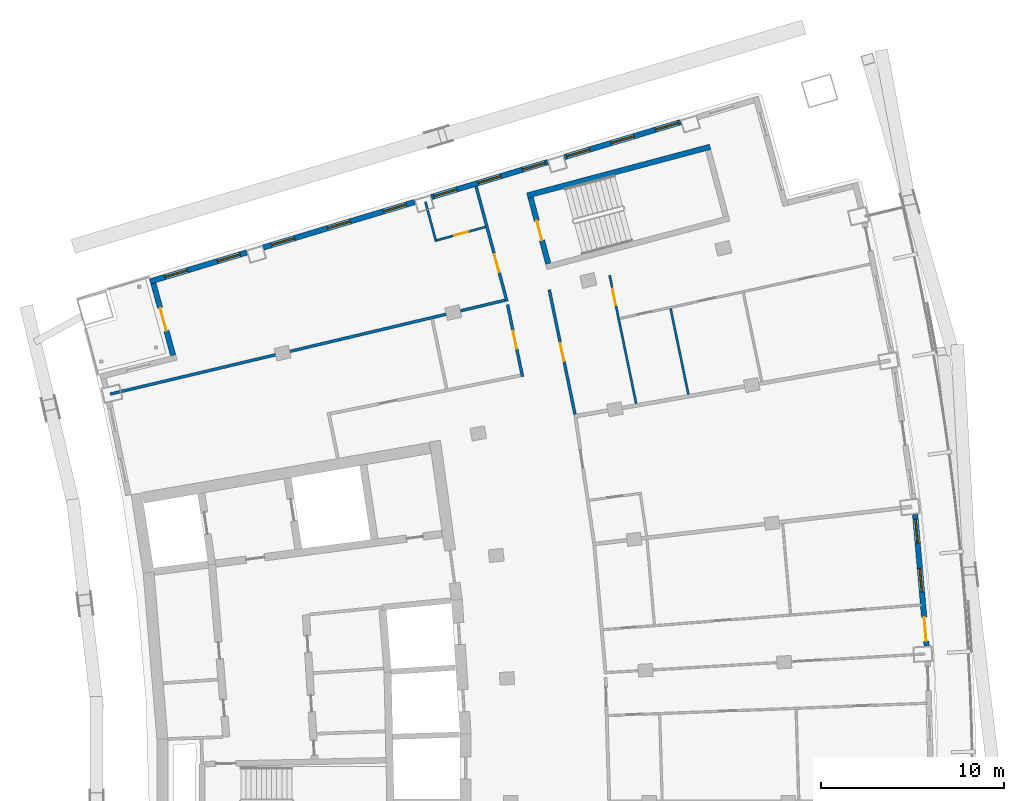
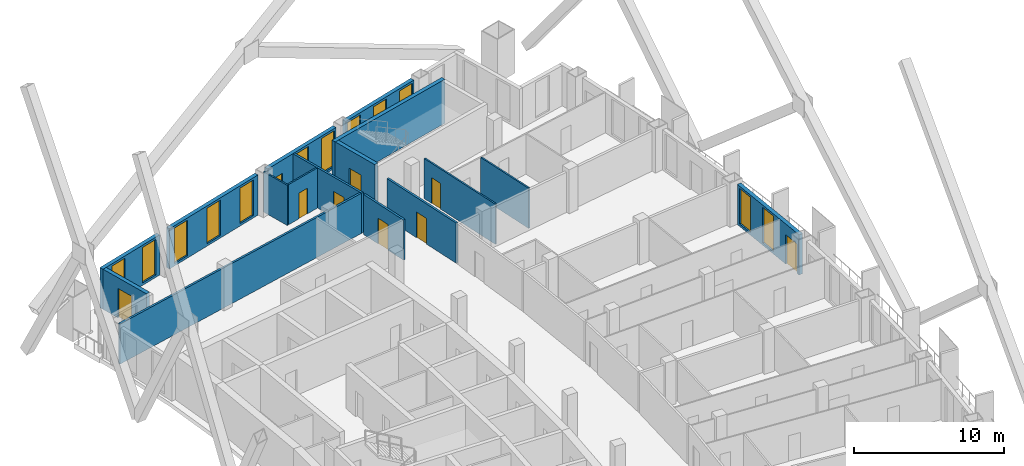
# One storey, part 15 of 20: 16 walls, 13 windows, 8 doors, 21 openings.
"""IFC4 building model written with IfcOpenShell, lengths in metres."""

from ifc_helpers import new_model, si_unit, direction, frame, frame_2d, origin, place, context, subcontext, project, spatial, rectangle, extrude, material, layer, layer_set, type_object, element, fill, save


model = new_model("IFC4")

# Units and contexts
model_context = context("Model", 3, precision=1e-05, world=origin(), true_north=direction((0.0, 1.0)))
body_context = subcontext(model_context, "Body", "Model", "MODEL_VIEW")
ifc_project = project(units=[si_unit("LENGTHUNIT", "METRE"), si_unit("AREAUNIT", "SQUARE_METRE"), si_unit("VOLUMEUNIT", "CUBIC_METRE"), si_unit("PLANEANGLEUNIT", "RADIAN"), si_unit("MASSUNIT", "GRAM", prefix="KILO")], contexts=[model_context])

# Site, building, storey
site_placement = place(None, origin())
site = spatial("IfcSite", under=ifc_project, at=site_placement, CompositionType="ELEMENT")
building_placement = place(site_placement, origin())
building = spatial("IfcBuilding", under=site, at=building_placement, Name="Alderwake Tower", CompositionType="ELEMENT")
storey_placement = place(building_placement, frame((0.0, 0.0, 189.199951171875)))
storey = spatial("IfcBuildingStorey", under=building, at=storey_placement, Name="L46", CompositionType="ELEMENT", Elevation=189.199951171875)

# Wall
ifc_material_1 = material(Name="Concrete C70/85", Category="concrete")
ifc_layer_1 = layer(ifc_material_1, 0.300048828125)
ifc_layer_set_1 = layer_set([ifc_layer_1], Name="Core wall stair enclosure 300 C70-85")
wall_type_1 = type_object("IfcWallType", Name="Core wall stair enclosure 300 C70-85", PredefinedType="SHEAR", material=ifc_layer_set_1)
wall_1_placement = place(storey_placement, frame((36.71142578125, 94.182373046875, 0.0), z_axis=(0.0, 0.0, 1.0), x_axis=(0.966309214305, 0.257383958996, 0.0)))
element("IfcWall", 1, at=wall_1_placement, inside=storey, type_object=wall_type_1, Name="Core wall CW.082", PredefinedType="SHEAR", context=body_context, shape_type="SweptSolid", body=[
    extrude(rectangle(XDim=10.360107421875, YDim=0.300048828125, at=frame_2d((5.18017578125, 0.0))), origin(), (0.0, 0.0, 1.0), 3.60009765625),
])

# Wall, opening, door
wall_2_placement = place(storey_placement, frame((37.8603515625, 90.452392578125, 0.0), z_axis=(0.0, 0.0, 1.0), x_axis=(-0.257411420208, 0.966301899381, 0.0)))
wall_2 = element("IfcWall", 2, at=wall_2_placement, inside=storey, type_object=wall_type_1, Name="Core wall CW.083", PredefinedType="SHEAR", context=body_context, shape_type="SweptSolid", body=[
    extrude(rectangle(XDim=3.750244140625, YDim=0.300048828125, at=frame_2d((1.875, 0.0))), origin(), (0.0, 0.0, 1.0), 3.60009765625),
])
opening_1_placement = place(wall_2_placement, frame((1.324951171875, 0.0, 0.0)))
opening_1 = element("IfcOpeningElement", 3, at=opening_1_placement, cuts=wall_2, Name="Opening C062", PredefinedType="OPENING", context=body_context, shape_type="SweptSolid", body=[
    extrude(rectangle(XDim=1.10009765625, YDim=2.10009765625, at=frame_2d((0.550048828125, 1.050048828125))), frame((0.0, 0.159912109375, 0.0), z_axis=(0.0, -1.0, 0.0), x_axis=(1.0, 0.0, 0.0)), (0.0, 0.0, 1.0), 0.320068359375),
])
ifc_material_2 = material(Name="Steel-framed fire door leaf", Category="steel")
door_type_1 = type_object("IfcDoorType", Name="Core stair door 1100 fire-rated", OperationType="SINGLE_SWING_LEFT", PredefinedType="DOOR", material=ifc_material_2)
door_1_placement = place(opening_1_placement, origin())
door_1 = element("IfcDoor", 4, at=door_1_placement, inside=storey, type_object=door_type_1, Name="Stair door", OperationType="SINGLE_SWING_LEFT", OverallHeight=2.10009765625, OverallWidth=1.10009765625, PredefinedType="DOOR", context=body_context, shape_type="SweptSolid", body=[
    extrude(rectangle(XDim=1.10009765625, YDim=2.10009765625, at=frame_2d((0.550048828125, 1.050048828125))), frame((0.0, 0.02490234375, 0.0), z_axis=(0.0, -1.0, 0.0), x_axis=(1.0, 0.0, 0.0)), (0.0, 0.0, 1.0), 0.050048828125),
])
fill(opening_1, door_1)

ifc_material_3 = material(Name="Gypsum board on metal studs, rated")
ifc_layer_2 = layer(ifc_material_3, 0.159912109375)
ifc_layer_set_2 = layer_set([ifc_layer_2], Name="Corridor wall 160")
wall_type_2 = type_object("IfcWallType", Name="Corridor wall 160", PredefinedType="PARTITIONING", material=ifc_layer_set_2)
wall_3_placement = place(storey_placement, frame((35.600830078125, 88.392578125, 0.0), z_axis=(0.0, 0.0, 1.0), x_axis=(-0.259509260101, 0.965740619381, 0.0)))
wall_3 = element("IfcWall", 5, at=wall_3_placement, inside=storey, type_object=wall_type_2, Name="WL/L46/W14", PredefinedType="PARTITIONING", context=body_context, shape_type="SweptSolid", body=[
    extrude(rectangle(XDim=6.50732421875, YDim=0.159912109375, at=frame_2d((3.253662109375, 0.0))), origin(), (0.0, 0.0, 1.0), 3.280029296875),
])
opening_2_placement = place(wall_3_placement, frame((1.65771484375, 0.0, 0.0)))
opening_2 = element("IfcOpeningElement", 6, at=opening_2_placement, cuts=wall_3, Name="Opening R13-U09.1", PredefinedType="OPENING", context=body_context, shape_type="SweptSolid", body=[
    extrude(rectangle(XDim=1.0, YDim=2.10009765625, at=frame_2d((0.5, 1.050048828125))), frame((0.0, 0.08984375, 0.0), z_axis=(0.0, -1.0, 0.0), x_axis=(1.0, 0.0, 0.0)), (0.0, 0.0, 1.0), 0.179931640625),
])
ifc_material_4 = material(Name="Solid timber leaf in steel frame", Category="steel")
door_type_2 = type_object("IfcDoorType", Name="Flat entrance door 1000 fire-rated", OperationType="SINGLE_SWING_LEFT", PredefinedType="DOOR", material=ifc_material_4)
door_2_placement = place(opening_2_placement, origin())
door_2 = element("IfcDoor", 7, at=door_2_placement, inside=storey, type_object=door_type_2, Name="DR/L46/U09.1", OperationType="SINGLE_SWING_LEFT", OverallHeight=2.10009765625, OverallWidth=1.0, PredefinedType="DOOR", context=body_context, shape_type="SweptSolid", body=[
    extrude(rectangle(XDim=1.0, YDim=2.10009765625, at=frame_2d((0.5, 1.050048828125))), frame((0.0, 0.02490234375, 0.0), z_axis=(0.0, -1.0, 0.0), x_axis=(1.0, 0.0, 0.0)), (0.0, 0.0, 1.0), 0.050048828125),
])
fill(opening_2, door_2)

# Wall
wall_4_placement = place(storey_placement, frame((35.502197265625, 88.451416015625, 0.0), z_axis=(0.0, 0.0, 1.0), x_axis=(-0.972894913244, -0.231247676278, 0.0)))
element("IfcWall", 8, at=wall_4_placement, inside=storey, type_object=wall_type_2, Name="WL/L46/W16", PredefinedType="PARTITIONING", context=body_context, shape_type="SweptSolid", body=[
    extrude(rectangle(XDim=22.220458984375, YDim=0.159912109375, at=frame_2d((11.1103515625, 0.0))), origin(), (0.0, 0.0, 1.0), 3.280029296875),
])

# Wall, opening, door
wall_5_placement = place(storey_placement, frame((36.451416015625, 84.272705078125, 0.0), z_axis=(0.0, 0.0, 1.0), x_axis=(-0.203258199701, 0.979125172924, 0.0)))
wall_5 = element("IfcWall", 9, at=wall_5_placement, inside=storey, type_object=wall_type_2, Name="WL/L46/W17", PredefinedType="PARTITIONING", context=body_context, shape_type="SweptSolid", body=[
    extrude(rectangle(XDim=4.020263671875, YDim=0.159912109375, at=frame_2d((2.01025390625, 0.0))), origin(), (0.0, 0.0, 1.0), 3.280029296875),
])
opening_3_placement = place(wall_5_placement, frame((1.549560546875, 0.0, 0.0)))
opening_3 = element("IfcOpeningElement", 10, at=opening_3_placement, cuts=wall_5, Name="Opening R13-SBN2", PredefinedType="OPENING", context=body_context, shape_type="SweptSolid", body=[
    extrude(rectangle(XDim=1.0, YDim=2.10009765625, at=frame_2d((0.5, 1.050048828125))), frame((0.0, 0.08984375, 0.0), z_axis=(0.0, -1.0, 0.0), x_axis=(1.0, 0.0, 0.0)), (0.0, 0.0, 1.0), 0.179931640625),
])
ifc_material_5 = material(Name="Steel-framed fire door leaf", Category="steel")
door_type_3 = type_object("IfcDoorType", Name="Plant room door 1000 fire-rated", OperationType="SINGLE_SWING_LEFT", PredefinedType="DOOR", material=ifc_material_5)
door_3_placement = place(opening_3_placement, origin())
door_3 = element("IfcDoor", 11, at=door_3_placement, inside=storey, type_object=door_type_3, Name="DR/L46/SBN2", OperationType="SINGLE_SWING_LEFT", OverallHeight=2.10009765625, OverallWidth=1.0, PredefinedType="DOOR", context=body_context, shape_type="SweptSolid", body=[
    extrude(rectangle(XDim=1.0, YDim=2.10009765625, at=frame_2d((0.5, 1.050048828125))), frame((0.0, 0.02490234375, 0.0), z_axis=(0.0, -1.0, 0.0), x_axis=(1.0, 0.0, 0.0)), (0.0, 0.0, 1.0), 0.050048828125),
])
fill(opening_3, door_3)

wall_6_placement = place(storey_placement, frame((37.9169921875, 89.02490234375, 0.0), z_axis=(0.0, 0.0, 1.0), x_axis=(0.202416809878, -0.97929946139, 0.0)))
wall_6 = element("IfcWall", 12, at=wall_6_placement, inside=storey, type_object=wall_type_2, Name="WL/L46/W22", PredefinedType="PARTITIONING", context=body_context, shape_type="SweptSolid", body=[
    extrude(rectangle(XDim=6.97021484375, YDim=0.159912109375, at=frame_2d((3.485107421875, 0.0))), origin(), (0.0, 0.0, 1.0), 3.280029296875),
])
opening_4_placement = place(wall_6_placement, frame((2.985595703125, 0.0, 0.0)))
opening_4 = element("IfcOpeningElement", 13, at=opening_4_placement, cuts=wall_6, Name="Opening R13-U07.2", PredefinedType="OPENING", context=body_context, shape_type="SweptSolid", body=[
    extrude(rectangle(XDim=1.0, YDim=2.10009765625, at=frame_2d((0.5, 1.050048828125))), frame((0.0, 0.08984375, 0.0), z_axis=(0.0, -1.0, 0.0), x_axis=(1.0, 0.0, 0.0)), (0.0, 0.0, 1.0), 0.179931640625),
])
door_4_placement = place(opening_4_placement, origin())
door_4 = element("IfcDoor", 14, at=door_4_placement, inside=storey, type_object=door_type_2, Name="DR/L46/U07.2", OperationType="SINGLE_SWING_LEFT", OverallHeight=2.10009765625, OverallWidth=1.0, PredefinedType="DOOR", context=body_context, shape_type="SweptSolid", body=[
    extrude(rectangle(XDim=1.0, YDim=2.10009765625, at=frame_2d((0.5, 1.050048828125))), frame((0.0, 0.02490234375, 0.0), z_axis=(0.0, -1.0, 0.0), x_axis=(1.0, 0.0, 0.0)), (0.0, 0.0, 1.0), 0.050048828125),
])
fill(opening_4, door_4)

# Wall, openings, door, windows
ifc_material_6 = material(Name="Precast concrete C50/60 spandrel panel", Category="concrete")
ifc_layer_3 = layer(ifc_material_6, 0.300048828125)
ifc_layer_set_3 = layer_set([ifc_layer_3], Name="External wall EW1 Precast concrete C50/60 spandrel")
wall_type_3 = type_object("IfcWallType", Name="External wall EW1 Precast concrete C50/60 spandrel", PredefinedType="SOLIDWALL", material=ifc_layer_set_3)
wall_7_placement = place(storey_placement, frame((58.57470703125, 69.540771484375, 0.0), z_axis=(0.0, 0.0, 1.0), x_axis=(-0.087372536775, 0.996175707301, 0.0)))
wall_7 = element("IfcWall", 15, at=wall_7_placement, inside=storey, type_object=wall_type_3, Name="External wall 17", PredefinedType="SOLIDWALL", context=body_context, shape_type="SweptSolid", body=[
    extrude(rectangle(XDim=7.20361328125, YDim=0.300048828125, at=frame_2d((3.601806640625, 0.0))), origin(), (0.0, 0.0, 1.0), 3.280029296875),
])
opening_5_placement = place(wall_7_placement, frame((0.257080078125, 0.0, 0.0)))
opening_5 = element("IfcOpeningElement", 16, at=opening_5_placement, cuts=wall_7, Name="Opening D06", PredefinedType="OPENING", context=body_context, shape_type="SweptSolid", body=[
    extrude(rectangle(XDim=1.300048828125, YDim=2.39990234375, at=frame_2d((0.64990234375, 1.199951171875))), frame((0.0, 0.159912109375, 0.0), z_axis=(0.0, -1.0, 0.0), x_axis=(1.0, 0.0, 0.0)), (0.0, 0.0, 1.0), 0.320068359375),
])
opening_6_placement = place(wall_7_placement, frame((2.951904296875, 0.0, 0.199951171875)))
opening_6 = element("IfcOpeningElement", 17, at=opening_6_placement, cuts=wall_7, Name="Opening W1", PredefinedType="OPENING", context=body_context, shape_type="SweptSolid", body=[
    extrude(rectangle(XDim=1.300048828125, YDim=2.89990234375, at=frame_2d((0.64990234375, 1.449951171875))), frame((0.0, 0.159912109375, 0.0), z_axis=(0.0, -1.0, 0.0), x_axis=(1.0, 0.0, 0.0)), (0.0, 0.0, 1.0), 0.320068359375),
])
opening_7_placement = place(wall_7_placement, frame((5.646484375, 0.0, 0.199951171875)))
opening_7 = element("IfcOpeningElement", 18, at=opening_7_placement, cuts=wall_7, Name="Opening W1", PredefinedType="OPENING", context=body_context, shape_type="SweptSolid", body=[
    extrude(rectangle(XDim=1.300048828125, YDim=2.89990234375, at=frame_2d((0.64990234375, 1.449951171875))), frame((0.0, 0.159912109375, 0.0), z_axis=(0.0, -1.0, 0.0), x_axis=(1.0, 0.0, 0.0)), (0.0, 0.0, 1.0), 0.320068359375),
])
ifc_material_7 = material(Name="Bronze tinted glass in aluminium frame", Category="aluminium")
door_type_4 = type_object("IfcDoorType", Name="Balcony door BD sliding", OperationType="SLIDING_TO_LEFT", PredefinedType="DOOR", material=ifc_material_7)
door_5_placement = place(opening_5_placement, origin())
door_5 = element("IfcDoor", 19, at=door_5_placement, inside=storey, type_object=door_type_4, Name="Door D06", OperationType="SLIDING_TO_LEFT", OverallHeight=2.39990234375, OverallWidth=1.300048828125, PredefinedType="DOOR", context=body_context, shape_type="SweptSolid", body=[
    extrude(rectangle(XDim=1.300048828125, YDim=2.39990234375, at=frame_2d((0.64990234375, 1.199951171875))), frame((0.0, 0.02490234375, 0.0), z_axis=(0.0, -1.0, 0.0), x_axis=(1.0, 0.0, 0.0)), (0.0, 0.0, 1.0), 0.050048828125),
])
fill(opening_5, door_5)
ifc_material_8 = material(Name="Bronze tinted glass in aluminium frame", Category="aluminium")
window_type_1 = type_object("IfcWindowType", Name="Window W1 tall fixed and vent", PartitioningType="DOUBLE_PANEL_VERTICAL", PredefinedType="WINDOW", material=ifc_material_8)
window_1_placement = place(opening_6_placement, origin())
window_1 = element("IfcWindow", 20, at=window_1_placement, inside=storey, type_object=window_type_1, Name="Window W1 tall fixed and vent", OverallHeight=2.89990234375, OverallWidth=1.300048828125, PartitioningType="DOUBLE_PANEL_VERTICAL", PredefinedType="WINDOW", context=body_context, shape_type="SweptSolid", body=[
    extrude(rectangle(XDim=1.300048828125, YDim=2.89990234375, at=frame_2d((0.64990234375, 1.449951171875))), frame((0.0, 0.030029296875, 0.0), z_axis=(0.0, -1.0, 0.0), x_axis=(1.0, 0.0, 0.0)), (0.0, 0.0, 1.0), 0.06005859375),
])
fill(opening_6, window_1)
window_2_placement = place(opening_7_placement, origin())
window_2 = element("IfcWindow", 21, at=window_2_placement, inside=storey, type_object=window_type_1, Name="Window W1 tall fixed and vent", OverallHeight=2.89990234375, OverallWidth=1.300048828125, PartitioningType="DOUBLE_PANEL_VERTICAL", PredefinedType="WINDOW", context=body_context, shape_type="SweptSolid", body=[
    extrude(rectangle(XDim=1.300048828125, YDim=2.89990234375, at=frame_2d((0.64990234375, 1.449951171875))), frame((0.0, 0.030029296875, 0.0), z_axis=(0.0, -1.0, 0.0), x_axis=(1.0, 0.0, 0.0)), (0.0, 0.0, 1.0), 0.06005859375),
])
fill(opening_7, window_2)

# Wall, openings, windows
ifc_material_9 = material(Name="Bronze metal cladding on lightweight framing")
ifc_layer_4 = layer(ifc_material_9, 0.300048828125)
ifc_layer_set_4 = layer_set([ifc_layer_4], Name="External wall EW2 bronze metal cladding")
wall_type_4 = type_object("IfcWallType", Name="External wall EW2 bronze metal cladding", PredefinedType="SOLIDWALL", material=ifc_layer_set_4)
wall_8_placement = place(storey_placement, frame((45.110107421875, 98.1962890625, 0.0), z_axis=(0.0, 0.0, 1.0), x_axis=(-0.957757511153, -0.287577032861, 0.0)))
wall_8 = element("IfcWall", 22, at=wall_8_placement, inside=storey, type_object=wall_type_4, Name="External wall 24", PredefinedType="SOLIDWALL", context=body_context, shape_type="SweptSolid", body=[
    extrude(rectangle(XDim=6.646484375, YDim=0.300048828125, at=frame_2d((3.3232421875, 0.0))), origin(), (0.0, 0.0, 1.0), 3.280029296875),
])
opening_8_placement = place(wall_8_placement, frame((0.139892578125, 0.0, 0.199951171875)))
opening_8 = element("IfcOpeningElement", 23, at=opening_8_placement, cuts=wall_8, Name="Opening W1", PredefinedType="OPENING", context=body_context, shape_type="SweptSolid", body=[
    extrude(rectangle(XDim=1.300048828125, YDim=2.89990234375, at=frame_2d((0.64990234375, 1.449951171875))), frame((0.0, 0.159912109375, 0.0), z_axis=(0.0, -1.0, 0.0), x_axis=(1.0, 0.0, 0.0)), (0.0, 0.0, 1.0), 0.320068359375),
])
opening_9_placement = place(wall_8_placement, frame((2.67333984375, 0.0, 0.199951171875)))
opening_9 = element("IfcOpeningElement", 24, at=opening_9_placement, cuts=wall_8, Name="Opening W1", PredefinedType="OPENING", context=body_context, shape_type="SweptSolid", body=[
    extrude(rectangle(XDim=1.300048828125, YDim=2.89990234375, at=frame_2d((0.64990234375, 1.449951171875))), frame((0.0, 0.159912109375, 0.0), z_axis=(0.0, -1.0, 0.0), x_axis=(1.0, 0.0, 0.0)), (0.0, 0.0, 1.0), 0.320068359375),
])
opening_10_placement = place(wall_8_placement, frame((5.206787109375, 0.0, 0.199951171875)))
opening_10 = element("IfcOpeningElement", 25, at=opening_10_placement, cuts=wall_8, Name="Opening W1", PredefinedType="OPENING", context=body_context, shape_type="SweptSolid", body=[
    extrude(rectangle(XDim=1.300048828125, YDim=2.89990234375, at=frame_2d((0.64990234375, 1.449951171875))), frame((0.0, 0.159912109375, 0.0), z_axis=(0.0, -1.0, 0.0), x_axis=(1.0, 0.0, 0.0)), (0.0, 0.0, 1.0), 0.320068359375),
])
window_3_placement = place(opening_8_placement, origin())
window_3 = element("IfcWindow", 26, at=window_3_placement, inside=storey, type_object=window_type_1, Name="Window W1 tall fixed and vent", OverallHeight=2.89990234375, OverallWidth=1.300048828125, PartitioningType="DOUBLE_PANEL_VERTICAL", PredefinedType="WINDOW", context=body_context, shape_type="SweptSolid", body=[
    extrude(rectangle(XDim=1.300048828125, YDim=2.89990234375, at=frame_2d((0.64990234375, 1.449951171875))), frame((0.0, 0.030029296875, 0.0), z_axis=(0.0, -1.0, 0.0), x_axis=(1.0, 0.0, 0.0)), (0.0, 0.0, 1.0), 0.06005859375),
])
fill(opening_8, window_3)
window_4_placement = place(opening_9_placement, origin())
window_4 = element("IfcWindow", 27, at=window_4_placement, inside=storey, type_object=window_type_1, Name="Window W1 tall fixed and vent", OverallHeight=2.89990234375, OverallWidth=1.300048828125, PartitioningType="DOUBLE_PANEL_VERTICAL", PredefinedType="WINDOW", context=body_context, shape_type="SweptSolid", body=[
    extrude(rectangle(XDim=1.300048828125, YDim=2.89990234375, at=frame_2d((0.64990234375, 1.449951171875))), frame((0.0, 0.030029296875, 0.0), z_axis=(0.0, -1.0, 0.0), x_axis=(1.0, 0.0, 0.0)), (0.0, 0.0, 1.0), 0.06005859375),
])
fill(opening_9, window_4)
window_5_placement = place(opening_10_placement, origin())
window_5 = element("IfcWindow", 28, at=window_5_placement, inside=storey, type_object=window_type_1, Name="Window W1 tall fixed and vent", OverallHeight=2.89990234375, OverallWidth=1.300048828125, PartitioningType="DOUBLE_PANEL_VERTICAL", PredefinedType="WINDOW", context=body_context, shape_type="SweptSolid", body=[
    extrude(rectangle(XDim=1.300048828125, YDim=2.89990234375, at=frame_2d((0.64990234375, 1.449951171875))), frame((0.0, 0.030029296875, 0.0), z_axis=(0.0, -1.0, 0.0), x_axis=(1.0, 0.0, 0.0)), (0.0, 0.0, 1.0), 0.06005859375),
])
fill(opening_10, window_5)

wall_9_placement = place(storey_placement, frame((37.830810546875, 96.0107421875, 0.0), z_axis=(0.0, 0.0, 1.0), x_axis=(-0.957767627806, -0.287543337825, 0.0)))
wall_9 = element("IfcWall", 29, at=wall_9_placement, inside=storey, type_object=wall_type_4, Name="External wall 25", PredefinedType="SOLIDWALL", context=body_context, shape_type="SweptSolid", body=[
    extrude(rectangle(XDim=6.646484375, YDim=0.300048828125, at=frame_2d((3.3232421875, 0.0))), origin(), (0.0, 0.0, 1.0), 3.280029296875),
])
opening_11_placement = place(wall_9_placement, frame((0.139892578125, 0.0, 0.199951171875)))
opening_11 = element("IfcOpeningElement", 30, at=opening_11_placement, cuts=wall_9, Name="Opening W1", PredefinedType="OPENING", context=body_context, shape_type="SweptSolid", body=[
    extrude(rectangle(XDim=1.300048828125, YDim=2.89990234375, at=frame_2d((0.64990234375, 1.449951171875))), frame((0.0, 0.159912109375, 0.0), z_axis=(0.0, -1.0, 0.0), x_axis=(1.0, 0.0, 0.0)), (0.0, 0.0, 1.0), 0.320068359375),
])
opening_12_placement = place(wall_9_placement, frame((2.67333984375, 0.0, 0.199951171875)))
opening_12 = element("IfcOpeningElement", 31, at=opening_12_placement, cuts=wall_9, Name="Opening W1", PredefinedType="OPENING", context=body_context, shape_type="SweptSolid", body=[
    extrude(rectangle(XDim=1.300048828125, YDim=2.89990234375, at=frame_2d((0.64990234375, 1.449951171875))), frame((0.0, 0.159912109375, 0.0), z_axis=(0.0, -1.0, 0.0), x_axis=(1.0, 0.0, 0.0)), (0.0, 0.0, 1.0), 0.320068359375),
])
opening_13_placement = place(wall_9_placement, frame((5.206787109375, 0.0, 1.0)))
opening_13 = element("IfcOpeningElement", 32, at=opening_13_placement, cuts=wall_9, Name="Opening W2", PredefinedType="OPENING", context=body_context, shape_type="SweptSolid", body=[
    extrude(rectangle(XDim=1.300048828125, YDim=1.199951171875, at=frame_2d((0.64990234375, 0.60009765625))), frame((0.0, 0.159912109375, 0.0), z_axis=(0.0, -1.0, 0.0), x_axis=(1.0, 0.0, 0.0)), (0.0, 0.0, 1.0), 0.320068359375),
])
window_6_placement = place(opening_11_placement, origin())
window_6 = element("IfcWindow", 33, at=window_6_placement, inside=storey, type_object=window_type_1, Name="Window W1 tall fixed and vent", OverallHeight=2.89990234375, OverallWidth=1.300048828125, PartitioningType="DOUBLE_PANEL_VERTICAL", PredefinedType="WINDOW", context=body_context, shape_type="SweptSolid", body=[
    extrude(rectangle(XDim=1.300048828125, YDim=2.89990234375, at=frame_2d((0.64990234375, 1.449951171875))), frame((0.0, 0.030029296875, 0.0), z_axis=(0.0, -1.0, 0.0), x_axis=(1.0, 0.0, 0.0)), (0.0, 0.0, 1.0), 0.06005859375),
])
fill(opening_11, window_6)
window_7_placement = place(opening_12_placement, origin())
window_7 = element("IfcWindow", 34, at=window_7_placement, inside=storey, type_object=window_type_1, Name="Window W1 tall fixed and vent", OverallHeight=2.89990234375, OverallWidth=1.300048828125, PartitioningType="DOUBLE_PANEL_VERTICAL", PredefinedType="WINDOW", context=body_context, shape_type="SweptSolid", body=[
    extrude(rectangle(XDim=1.300048828125, YDim=2.89990234375, at=frame_2d((0.64990234375, 1.449951171875))), frame((0.0, 0.030029296875, 0.0), z_axis=(0.0, -1.0, 0.0), x_axis=(1.0, 0.0, 0.0)), (0.0, 0.0, 1.0), 0.06005859375),
])
fill(opening_12, window_7)
ifc_material_10 = material(Name="Bronze tinted glass in aluminium frame", Category="aluminium")
window_type_2 = type_object("IfcWindowType", Name="Window W2 kitchen and bath", PartitioningType="SINGLE_PANEL", PredefinedType="WINDOW", material=ifc_material_10)
window_8_placement = place(opening_13_placement, origin())
window_8 = element("IfcWindow", 35, at=window_8_placement, inside=storey, type_object=window_type_2, Name="Window W2 kitchen and bath", OverallHeight=1.199951171875, OverallWidth=1.300048828125, PartitioningType="SINGLE_PANEL", PredefinedType="WINDOW", context=body_context, shape_type="SweptSolid", body=[
    extrude(rectangle(XDim=1.300048828125, YDim=1.199951171875, at=frame_2d((0.64990234375, 0.60009765625))), frame((0.0, 0.030029296875, 0.0), z_axis=(0.0, -1.0, 0.0), x_axis=(1.0, 0.0, 0.0)), (0.0, 0.0, 1.0), 0.06005859375),
])
fill(opening_13, window_8)

wall_10_placement = place(storey_placement, frame((30.551513671875, 93.825439453125, 0.0), z_axis=(0.0, 0.0, 1.0), x_axis=(-0.957759421932, -0.287570669054, 0.0)))
wall_10 = element("IfcWall", 36, at=wall_10_placement, inside=storey, type_object=wall_type_4, Name="External wall 26", PredefinedType="SOLIDWALL", context=body_context, shape_type="SweptSolid", body=[
    extrude(rectangle(XDim=8.64599609375, YDim=0.300048828125, at=frame_2d((4.322998046875, 0.0))), origin(), (0.0, 0.0, 1.0), 3.280029296875),
])
opening_14_placement = place(wall_10_placement, frame((0.47314453125, 0.0, 0.199951171875)))
opening_14 = element("IfcOpeningElement", 37, at=opening_14_placement, cuts=wall_10, Name="Opening W1", PredefinedType="OPENING", context=body_context, shape_type="SweptSolid", body=[
    extrude(rectangle(XDim=1.300048828125, YDim=2.89990234375, at=frame_2d((0.64990234375, 1.449951171875))), frame((0.0, 0.159912109375, 0.0), z_axis=(0.0, -1.0, 0.0), x_axis=(1.0, 0.0, 0.0)), (0.0, 0.0, 1.0), 0.320068359375),
])
opening_15_placement = place(wall_10_placement, frame((3.673095703125, 0.0, 0.199951171875)))
opening_15 = element("IfcOpeningElement", 38, at=opening_15_placement, cuts=wall_10, Name="Opening W1", PredefinedType="OPENING", context=body_context, shape_type="SweptSolid", body=[
    extrude(rectangle(XDim=1.300048828125, YDim=2.89990234375, at=frame_2d((0.64990234375, 1.449951171875))), frame((0.0, 0.159912109375, 0.0), z_axis=(0.0, -1.0, 0.0), x_axis=(1.0, 0.0, 0.0)), (0.0, 0.0, 1.0), 0.320068359375),
])
opening_16_placement = place(wall_10_placement, frame((6.873291015625, 0.0, 0.199951171875)))
opening_16 = element("IfcOpeningElement", 39, at=opening_16_placement, cuts=wall_10, Name="Opening W1", PredefinedType="OPENING", context=body_context, shape_type="SweptSolid", body=[
    extrude(rectangle(XDim=1.300048828125, YDim=2.89990234375, at=frame_2d((0.64990234375, 1.449951171875))), frame((0.0, 0.159912109375, 0.0), z_axis=(0.0, -1.0, 0.0), x_axis=(1.0, 0.0, 0.0)), (0.0, 0.0, 1.0), 0.320068359375),
])
window_9_placement = place(opening_14_placement, origin())
window_9 = element("IfcWindow", 40, at=window_9_placement, inside=storey, type_object=window_type_1, Name="Window W1 tall fixed and vent", OverallHeight=2.89990234375, OverallWidth=1.300048828125, PartitioningType="DOUBLE_PANEL_VERTICAL", PredefinedType="WINDOW", context=body_context, shape_type="SweptSolid", body=[
    extrude(rectangle(XDim=1.300048828125, YDim=2.89990234375, at=frame_2d((0.64990234375, 1.449951171875))), frame((0.0, 0.030029296875, 0.0), z_axis=(0.0, -1.0, 0.0), x_axis=(1.0, 0.0, 0.0)), (0.0, 0.0, 1.0), 0.06005859375),
])
fill(opening_14, window_9)
window_10_placement = place(opening_15_placement, origin())
window_10 = element("IfcWindow", 41, at=window_10_placement, inside=storey, type_object=window_type_1, Name="Window W1 tall fixed and vent", OverallHeight=2.89990234375, OverallWidth=1.300048828125, PartitioningType="DOUBLE_PANEL_VERTICAL", PredefinedType="WINDOW", context=body_context, shape_type="SweptSolid", body=[
    extrude(rectangle(XDim=1.300048828125, YDim=2.89990234375, at=frame_2d((0.64990234375, 1.449951171875))), frame((0.0, 0.030029296875, 0.0), z_axis=(0.0, -1.0, 0.0), x_axis=(1.0, 0.0, 0.0)), (0.0, 0.0, 1.0), 0.06005859375),
])
fill(opening_15, window_10)
window_11_placement = place(opening_16_placement, origin())
window_11 = element("IfcWindow", 42, at=window_11_placement, inside=storey, type_object=window_type_1, Name="Window W1 tall fixed and vent", OverallHeight=2.89990234375, OverallWidth=1.300048828125, PartitioningType="DOUBLE_PANEL_VERTICAL", PredefinedType="WINDOW", context=body_context, shape_type="SweptSolid", body=[
    extrude(rectangle(XDim=1.300048828125, YDim=2.89990234375, at=frame_2d((0.64990234375, 1.449951171875))), frame((0.0, 0.030029296875, 0.0), z_axis=(0.0, -1.0, 0.0), x_axis=(1.0, 0.0, 0.0)), (0.0, 0.0, 1.0), 0.06005859375),
])
fill(opening_16, window_11)

wall_11_placement = place(storey_placement, frame((21.356689453125, 91.064697265625, 0.0), z_axis=(0.0, 0.0, 1.0), x_axis=(-0.957772749247, -0.287526278451, 0.0)))
wall_11 = element("IfcWall", 43, at=wall_11_placement, inside=storey, type_object=wall_type_4, Name="External wall 27", PredefinedType="SOLIDWALL", context=body_context, shape_type="SweptSolid", body=[
    extrude(rectangle(XDim=5.524169921875, YDim=0.300048828125, at=frame_2d((2.76220703125, 0.0))), origin(), (0.0, 0.0, 1.0), 3.280029296875),
])
opening_17_placement = place(wall_11_placement, frame((0.373291015625, 0.0, 0.199951171875)))
opening_17 = element("IfcOpeningElement", 44, at=opening_17_placement, cuts=wall_11, Name="Opening W1", PredefinedType="OPENING", context=body_context, shape_type="SweptSolid", body=[
    extrude(rectangle(XDim=1.300048828125, YDim=2.89990234375, at=frame_2d((0.64990234375, 1.449951171875))), frame((0.0, 0.159912109375, 0.0), z_axis=(0.0, -1.0, 0.0), x_axis=(1.0, 0.0, 0.0)), (0.0, 0.0, 1.0), 0.320068359375),
])
opening_18_placement = place(wall_11_placement, frame((3.3740234375, 0.0, 0.199951171875)))
opening_18 = element("IfcOpeningElement", 45, at=opening_18_placement, cuts=wall_11, Name="Opening W1", PredefinedType="OPENING", context=body_context, shape_type="SweptSolid", body=[
    extrude(rectangle(XDim=1.300048828125, YDim=2.89990234375, at=frame_2d((0.64990234375, 1.449951171875))), frame((0.0, 0.159912109375, 0.0), z_axis=(0.0, -1.0, 0.0), x_axis=(1.0, 0.0, 0.0)), (0.0, 0.0, 1.0), 0.320068359375),
])
window_12_placement = place(opening_17_placement, origin())
window_12 = element("IfcWindow", 46, at=window_12_placement, inside=storey, type_object=window_type_1, Name="Window W1 tall fixed and vent", OverallHeight=2.89990234375, OverallWidth=1.300048828125, PartitioningType="DOUBLE_PANEL_VERTICAL", PredefinedType="WINDOW", context=body_context, shape_type="SweptSolid", body=[
    extrude(rectangle(XDim=1.300048828125, YDim=2.89990234375, at=frame_2d((0.64990234375, 1.449951171875))), frame((0.0, 0.030029296875, 0.0), z_axis=(0.0, -1.0, 0.0), x_axis=(1.0, 0.0, 0.0)), (0.0, 0.0, 1.0), 0.06005859375),
])
fill(opening_17, window_12)
window_13_placement = place(opening_18_placement, origin())
window_13 = element("IfcWindow", 47, at=window_13_placement, inside=storey, type_object=window_type_1, Name="Window W1 tall fixed and vent", OverallHeight=2.89990234375, OverallWidth=1.300048828125, PartitioningType="DOUBLE_PANEL_VERTICAL", PredefinedType="WINDOW", context=body_context, shape_type="SweptSolid", body=[
    extrude(rectangle(XDim=1.300048828125, YDim=2.89990234375, at=frame_2d((0.64990234375, 1.449951171875))), frame((0.0, 0.030029296875, 0.0), z_axis=(0.0, -1.0, 0.0), x_axis=(1.0, 0.0, 0.0)), (0.0, 0.0, 1.0), 0.06005859375),
])
fill(opening_18, window_13)

# Wall, opening, door
wall_12_placement = place(storey_placement, frame((16.248779296875, 89.374755859375, 0.0), z_axis=(0.0, 0.0, 1.0), x_axis=(0.264607053468, -0.964356317579, 0.0)))
wall_12 = element("IfcWall", 48, at=wall_12_placement, inside=storey, type_object=wall_type_4, Name="External wall 28", PredefinedType="SOLIDWALL", context=body_context, shape_type="SweptSolid", body=[
    extrude(rectangle(XDim=4.090087890625, YDim=0.300048828125, at=frame_2d((2.044921875, 0.0))), origin(), (0.0, 0.0, 1.0), 3.280029296875),
])
opening_19_placement = place(wall_12_placement, frame((1.39501953125, 0.0, 0.0)))
opening_19 = element("IfcOpeningElement", 49, at=opening_19_placement, cuts=wall_12, Name="Opening D09", PredefinedType="OPENING", context=body_context, shape_type="SweptSolid", body=[
    extrude(rectangle(XDim=1.300048828125, YDim=2.39990234375, at=frame_2d((0.64990234375, 1.199951171875))), frame((0.0, 0.159912109375, 0.0), z_axis=(0.0, -1.0, 0.0), x_axis=(1.0, 0.0, 0.0)), (0.0, 0.0, 1.0), 0.320068359375),
])
door_6_placement = place(opening_19_placement, origin())
door_6 = element("IfcDoor", 50, at=door_6_placement, inside=storey, type_object=door_type_4, Name="Door D09", OperationType="SLIDING_TO_LEFT", OverallHeight=2.39990234375, OverallWidth=1.300048828125, PredefinedType="DOOR", context=body_context, shape_type="SweptSolid", body=[
    extrude(rectangle(XDim=1.300048828125, YDim=2.39990234375, at=frame_2d((0.64990234375, 1.199951171875))), frame((0.0, 0.02490234375, 0.0), z_axis=(0.0, -1.0, 0.0), x_axis=(1.0, 0.0, 0.0)), (0.0, 0.0, 1.0), 0.050048828125),
])
fill(opening_19, door_6)

# Wall
ifc_material_11 = material(Name="Moisture resistant gypsum board on metal studs")
ifc_layer_5 = layer(ifc_material_11, 0.1201171875)
ifc_layer_set_5 = layer_set([ifc_layer_5], Name="Wet room partition 120")
wall_type_5 = type_object("IfcWallType", Name="Wet room partition 120", PredefinedType="PARTITIONING", material=ifc_layer_set_5)
wall_13_placement = place(storey_placement, frame((31.134033203125, 93.843017578125, 0.0), z_axis=(0.0, 0.0, 1.0), x_axis=(0.260139854323, -0.965570948296, 0.0)))
element("IfcWall", 51, at=wall_13_placement, inside=storey, type_object=wall_type_5, Name="WL/L46/W30", PredefinedType="PARTITIONING", context=body_context, shape_type="SweptSolid", body=[
    extrude(rectangle(XDim=2.2626953125, YDim=0.1201171875, at=frame_2d((1.13134765625, 0.0))), origin(), (0.0, 0.0, 1.0), 3.280029296875),
])

# Wall, opening, door
wall_14_placement = place(storey_placement, frame((31.764892578125, 91.73193359375, 0.0), z_axis=(0.0, 0.0, 1.0), x_axis=(0.964278304966, 0.264891205163, 0.0)))
wall_14 = element("IfcWall", 52, at=wall_14_placement, inside=storey, type_object=wall_type_5, Name="WL/L46/W32", PredefinedType="PARTITIONING", context=body_context, shape_type="SweptSolid", body=[
    extrude(rectangle(XDim=2.759521484375, YDim=0.1201171875, at=frame_2d((1.3798828125, 0.0))), origin(), (0.0, 0.0, 1.0), 3.280029296875),
])
opening_20_placement = place(wall_14_placement, frame((0.979736328125, 0.0, 0.0)))
opening_20 = element("IfcOpeningElement", 53, at=opening_20_placement, cuts=wall_14, Name="Opening R13-U09.2", PredefinedType="OPENING", context=body_context, shape_type="SweptSolid", body=[
    extrude(rectangle(XDim=0.800048828125, YDim=2.10009765625, at=frame_2d((0.39990234375, 1.050048828125))), frame((0.0, 0.070068359375, 0.0), z_axis=(0.0, -1.0, 0.0), x_axis=(1.0, 0.0, 0.0)), (0.0, 0.0, 1.0), 0.14013671875),
])
ifc_material_12 = material(Name="Painted timber leaf", Category="wood")
door_type_5 = type_object("IfcDoorType", Name="Bathroom door 800", OperationType="SINGLE_SWING_LEFT", PredefinedType="DOOR", material=ifc_material_12)
door_7_placement = place(opening_20_placement, origin())
door_7 = element("IfcDoor", 54, at=door_7_placement, inside=storey, type_object=door_type_5, Name="DR/L46/U09.2", OperationType="SINGLE_SWING_LEFT", OverallHeight=2.10009765625, OverallWidth=0.800048828125, PredefinedType="DOOR", context=body_context, shape_type="SweptSolid", body=[
    extrude(rectangle(XDim=0.800048828125, YDim=2.10009765625, at=frame_2d((0.39990234375, 1.050048828125))), frame((0.0, 0.02490234375, 0.0), z_axis=(0.0, -1.0, 0.0), x_axis=(1.0, 0.0, 0.0)), (0.0, 0.0, 1.0), 0.050048828125),
])
fill(opening_20, door_7)

wall_15_placement = place(storey_placement, frame((41.222900390625, 89.81103515625, 0.0), z_axis=(0.0, 0.0, 1.0), x_axis=(0.20272162606, -0.979236407783, 0.0)))
wall_15 = element("IfcWall", 55, at=wall_15_placement, inside=storey, type_object=wall_type_5, Name="WL/L46/W35", PredefinedType="PARTITIONING", context=body_context, shape_type="SweptSolid", body=[
    extrude(rectangle(XDim=7.1669921875, YDim=0.1201171875, at=frame_2d((3.58349609375, 0.0))), origin(), (0.0, 0.0, 1.0), 3.280029296875),
])
opening_21_placement = place(wall_15_placement, frame((0.76220703125, 0.0, 0.0)))
opening_21 = element("IfcOpeningElement", 56, at=opening_21_placement, cuts=wall_15, Name="Opening R13-U07.3", PredefinedType="OPENING", context=body_context, shape_type="SweptSolid", body=[
    extrude(rectangle(XDim=0.89990234375, YDim=2.10009765625, at=frame_2d((0.449951171875, 1.050048828125))), frame((0.0, 0.070068359375, 0.0), z_axis=(0.0, -1.0, 0.0), x_axis=(1.0, 0.0, 0.0)), (0.0, 0.0, 1.0), 0.14013671875),
])
ifc_material_13 = material(Name="Painted timber leaf", Category="wood")
door_type_6 = type_object("IfcDoorType", Name="Room door 900", OperationType="SINGLE_SWING_LEFT", PredefinedType="DOOR", material=ifc_material_13)
door_8_placement = place(opening_21_placement, origin())
door_8 = element("IfcDoor", 57, at=door_8_placement, inside=storey, type_object=door_type_6, Name="DR/L46/U07.3", OperationType="SINGLE_SWING_LEFT", OverallHeight=2.10009765625, OverallWidth=0.89990234375, PredefinedType="DOOR", context=body_context, shape_type="SweptSolid", body=[
    extrude(rectangle(XDim=0.89990234375, YDim=2.10009765625, at=frame_2d((0.449951171875, 1.050048828125))), frame((0.0, 0.02490234375, 0.0), z_axis=(0.0, -1.0, 0.0), x_axis=(1.0, 0.0, 0.0)), (0.0, 0.0, 1.0), 0.050048828125),
])
fill(opening_21, door_8)

# Wall
wall_16_placement = place(storey_placement, frame((45.53173828125, 83.297119140625, 0.0), z_axis=(0.0, 0.0, 1.0), x_axis=(-0.202763480801, 0.979227742077, 0.0)))
element("IfcWall", 58, at=wall_16_placement, inside=storey, type_object=wall_type_5, Name="WL/L46/W42", PredefinedType="PARTITIONING", context=body_context, shape_type="SweptSolid", body=[
    extrude(rectangle(XDim=4.806640625, YDim=0.1201171875, at=frame_2d((2.4033203125, 0.0))), origin(), (0.0, 0.0, 1.0), 3.280029296875),
])

save(model, "model.ifc")
